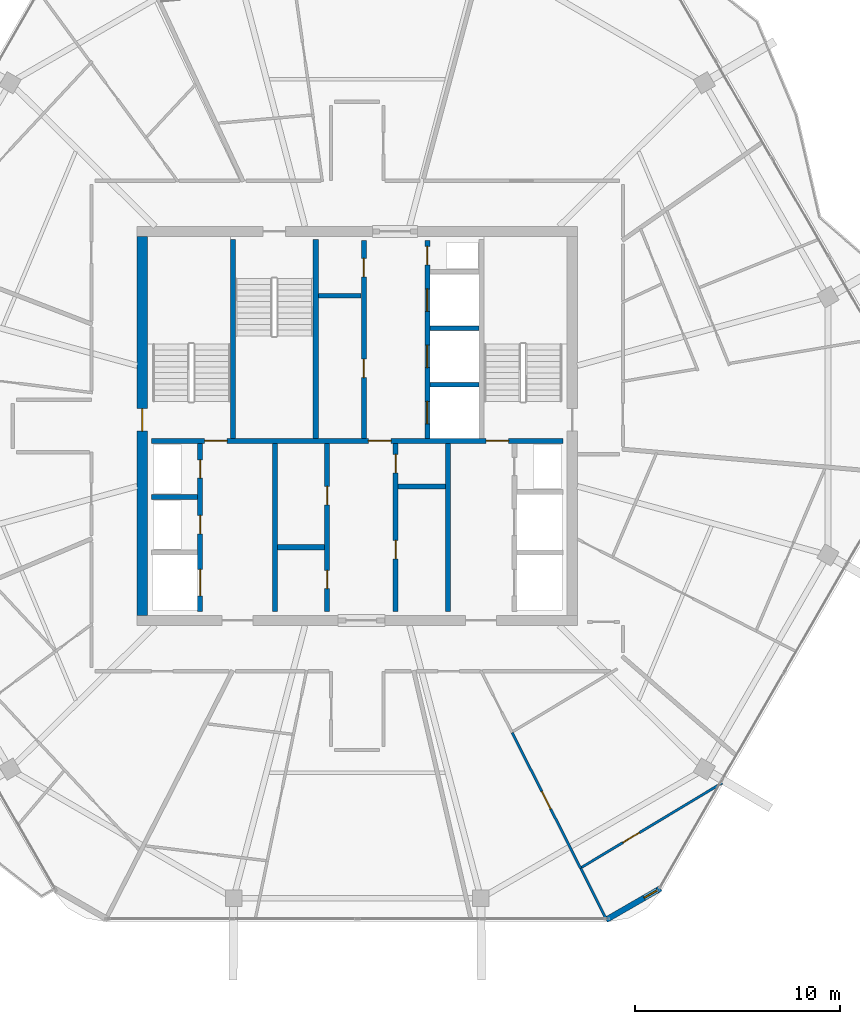
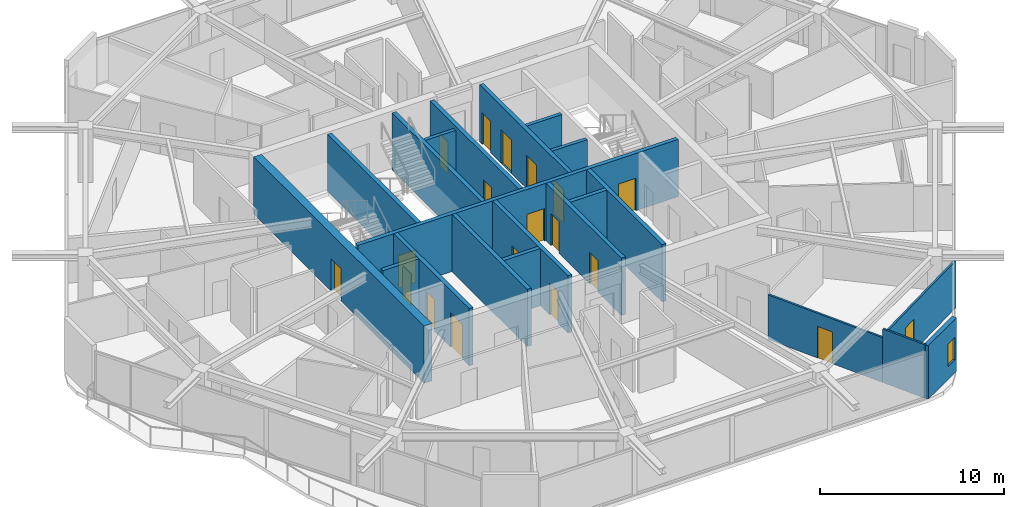
# One storey, part 15 of 21: 21 walls, 19 doors, 1 window, 20 openings.
"""IFC4 building model written with IfcOpenShell, lengths in metres."""

from ifc_helpers import new_model, si_unit, direction, frame, frame_2d, origin, place, context, subcontext, project, spatial, rectangle, extrude, material, layer, layer_set, type_object, element, fill, save


model = new_model("IFC4")

# Units and contexts
model_context = context("Model", 3, precision=1e-05, world=origin(), true_north=direction((0.0, 1.0)))
body_context = subcontext(model_context, "Body", "Model", "MODEL_VIEW")
ifc_project = project(units=[si_unit("LENGTHUNIT", "METRE"), si_unit("AREAUNIT", "SQUARE_METRE"), si_unit("VOLUMEUNIT", "CUBIC_METRE"), si_unit("PLANEANGLEUNIT", "RADIAN"), si_unit("MASSUNIT", "GRAM", prefix="KILO")], contexts=[model_context])

# Site, building, storey
site_placement = place(None, origin())
site = spatial("IfcSite", under=ifc_project, at=site_placement, CompositionType="ELEMENT")
building_placement = place(site_placement, origin())
building = spatial("IfcBuilding", under=site, at=building_placement, Name="Zuhravey Tower", CompositionType="ELEMENT")
storey_placement = place(building_placement, frame((0.0, 0.0, 319.60009765625)))
storey = spatial("IfcBuildingStorey", under=building, at=storey_placement, Name="L81", CompositionType="ELEMENT", Elevation=319.60009765625)

# Wall, opening, door
ifc_material_1 = material(Name="Concrete C50/60", Category="concrete")
ifc_layer_1 = layer(ifc_material_1, 0.5)
ifc_layer_set_1 = layer_set([ifc_layer_1], Name="Concrete C50/60")
wall_type_1 = type_object("IfcWallType", Name="Core Shear Wall 500", PredefinedType="SHEAR", material=ifc_layer_set_1)
wall_1_placement = place(storey_placement, frame((25.5, 22.75, 0.0), z_axis=(0.0, 0.0, 1.0), x_axis=(0.0, 1.0, 0.0)))
wall_1 = element("IfcWall", 1, at=wall_1_placement, inside=storey, type_object=wall_type_1, Name="L81 West Core Shear Wall CW50", PredefinedType="SHEAR", context=body_context, shape_type="SweptSolid", body=[
    extrude(rectangle(XDim=18.5, YDim=0.5, at=frame_2d((9.25, 0.0))), origin(), (0.0, 0.0, 1.0), 3.7998046875),
])
opening_1_placement = place(wall_1_placement, frame((9.0, 0.0, 0.0)))
opening_1 = element("IfcOpeningElement", 2, at=opening_1_placement, cuts=wall_1, Name="Opening STD1", PredefinedType="OPENING", context=body_context, shape_type="SweptSolid", body=[
    extrude(rectangle(XDim=1.10009765625, YDim=2.14990234375, at=frame_2d((0.550048828125, 1.074951171875))), frame((0.0, 0.261962890625, 0.0), z_axis=(0.0, -1.0, 0.0), x_axis=(1.0, 0.0, 0.0)), (0.0, 0.0, 1.0), 0.52392578125),
])
ifc_material_2 = material(Name="Galvanised fire-rated steel leaf", Category="steel")
door_type_1 = type_object("IfcDoorType", Name="Protected Stair Fire Door 1100x2150", OperationType="NOTDEFINED", PredefinedType="USERDEFINED", material=ifc_material_2)
door_1_placement = place(opening_1_placement, frame((1.10009765625, 0.0, 0.0), z_axis=(0.0, 0.0, 1.0), x_axis=(-1.0, 0.0, 0.0)))
door_1 = element("IfcDoor", 3, at=door_1_placement, inside=storey, type_object=door_type_1, Name="L81 Stair ST1 Door", ObjectType="EXITDOOR", OperationType="SINGLE_SWING_LEFT", OverallHeight=2.14990234375, OverallWidth=1.10009765625, PredefinedType="USERDEFINED", context=body_context, shape_type="SweptSolid", body=[
    extrude(rectangle(XDim=1.10009765625, YDim=2.14990234375, at=frame_2d((0.550048828125, 1.074951171875))), frame((0.0, 0.02490234375, 0.0), z_axis=(0.0, -1.0, 0.0), x_axis=(1.0, 0.0, 0.0)), (0.0, 0.0, 1.0), 0.050048828125),
])
fill(opening_1, door_1)

# Wall, opening, window
ifc_material_3 = material(Name="Precast concrete C40/50", Category="concrete")
ifc_layer_2 = layer(ifc_material_3, 0.280029296875)
ifc_layer_set_2 = layer_set([ifc_layer_2], Name="Precast concrete C40/50")
wall_type_2 = type_object("IfcWallType", Name="Crown Architectural Wall 280", PredefinedType="SOLIDWALL", material=ifc_layer_set_2)
wall_2_placement = place(storey_placement, frame((50.811279296875, 9.410888671875, 0.0), z_axis=(0.0, 0.0, 1.0), x_axis=(-0.866023752521, -0.50000286006, 0.0)))
wall_2 = element("IfcWall", 4, at=wall_2_placement, inside=storey, type_object=wall_type_2, Name="L81 Rounded Corner Closure Wall EW28-02", PredefinedType="SOLIDWALL", context=body_context, shape_type="SweptSolid", body=[
    extrude(rectangle(XDim=3.06494140625, YDim=0.280029296875, at=frame_2d((1.532470703125, 0.0))), origin(), (0.0, 0.0, 1.0), 3.5498046875),
])
opening_2_placement = place(wall_2_placement, frame((0.1728515625, 0.0, 0.85009765625)))
opening_2 = element("IfcOpeningElement", 5, at=opening_2_placement, cuts=wall_2, Name="Opening WN5", PredefinedType="OPENING", context=body_context, shape_type="SweptSolid", body=[
    extrude(rectangle(XDim=0.75, YDim=1.5, at=frame_2d((0.375, 0.75))), frame((0.0, 0.152099609375, 0.0), z_axis=(0.0, -1.0, 0.0), x_axis=(1.0, 0.0, 0.0)), (0.0, 0.0, 1.0), 0.303955078125),
])
ifc_material_4 = material(Name="Thermally broken aluminium and triple low-E glass", Category="aluminium")
window_type = type_object("IfcWindowType", Name="Residential Corner Casement Window 750x1500", PartitioningType="SINGLE_PANEL", PredefinedType="WINDOW", material=ifc_material_4)
window_placement = place(opening_2_placement, origin())
window = element("IfcWindow", 6, at=window_placement, inside=storey, type_object=window_type, Name="L81 Corner Casement Window WN5-02.1", OverallHeight=1.5, OverallWidth=0.75, PartitioningType="SINGLE_PANEL", PredefinedType="WINDOW", context=body_context, shape_type="SweptSolid", body=[
    extrude(rectangle(XDim=0.75, YDim=1.5, at=frame_2d((0.375, 0.75))), frame((0.0, 0.030029296875, 0.0), z_axis=(0.0, -1.0, 0.0), x_axis=(1.0, 0.0, 0.0)), (0.0, 0.0, 1.0), 0.06005859375),
])
fill(opening_2, window)

# Wall, openings, doors
ifc_layer_3 = layer(ifc_material_1, 0.25)
ifc_layer_set_3 = layer_set([ifc_layer_3], Name="Concrete C50/60")
wall_type_3 = type_object("IfcWallType", Name="Firefighting Shaft & Stair Wall 250", PredefinedType="SOLIDWALL", material=ifc_layer_set_3)
wall_3_placement = place(storey_placement, frame((25.949951171875, 31.27490234375, 0.0), z_axis=(0.0, 0.0, 1.0), x_axis=(1.0, 0.0, 0.0)))
wall_3 = element("IfcWall", 7, at=wall_3_placement, inside=storey, type_object=wall_type_3, Name="L81 FW25 Shaft Wall 003", PredefinedType="SOLIDWALL", context=body_context, shape_type="SweptSolid", body=[
    extrude(rectangle(XDim=20.10009765625, YDim=0.25, at=frame_2d((10.050048828125, 0.0))), origin(), (0.0, 0.0, 1.0), 3.7998046875),
])
opening_3_placement = place(wall_3_placement, frame((2.60009765625, 0.0, 0.0)))
opening_3 = element("IfcOpeningElement", 8, at=opening_3_placement, cuts=wall_3, Name="Opening STD1", PredefinedType="OPENING", context=body_context, shape_type="SweptSolid", body=[
    extrude(rectangle(XDim=1.10009765625, YDim=2.14990234375, at=frame_2d((0.550048828125, 1.074951171875))), frame((0.0, 0.136962890625, 0.0), z_axis=(0.0, -1.0, 0.0), x_axis=(1.0, 0.0, 0.0)), (0.0, 0.0, 1.0), 0.27392578125),
])
opening_4_placement = place(wall_3_placement, frame((10.60009765625, 0.0, 0.0)))
opening_4 = element("IfcOpeningElement", 9, at=opening_4_placement, cuts=wall_3, Name="Opening STD1", PredefinedType="OPENING", context=body_context, shape_type="SweptSolid", body=[
    extrude(rectangle(XDim=1.10009765625, YDim=2.14990234375, at=frame_2d((0.550048828125, 1.074951171875))), frame((0.0, 0.136962890625, 0.0), z_axis=(0.0, -1.0, 0.0), x_axis=(1.0, 0.0, 0.0)), (0.0, 0.0, 1.0), 0.27392578125),
])
opening_5_placement = place(wall_3_placement, frame((16.35009765625, 0.0, 0.0)))
opening_5 = element("IfcOpeningElement", 10, at=opening_5_placement, cuts=wall_3, Name="Opening STD1", PredefinedType="OPENING", context=body_context, shape_type="SweptSolid", body=[
    extrude(rectangle(XDim=1.10009765625, YDim=2.14990234375, at=frame_2d((0.550048828125, 1.074951171875))), frame((0.0, 0.136962890625, 0.0), z_axis=(0.0, -1.0, 0.0), x_axis=(1.0, 0.0, 0.0)), (0.0, 0.0, 1.0), 0.27392578125),
])
door_2_placement = place(opening_3_placement, origin())
door_2 = element("IfcDoor", 11, at=door_2_placement, inside=storey, type_object=door_type_1, Name="L81 FFL-W to ST1 Door", ObjectType="EXITDOOR", OperationType="SINGLE_SWING_RIGHT", OverallHeight=2.14990234375, OverallWidth=1.10009765625, PredefinedType="USERDEFINED", context=body_context, shape_type="SweptSolid", body=[
    extrude(rectangle(XDim=1.10009765625, YDim=2.14990234375, at=frame_2d((0.550048828125, 1.074951171875))), frame((0.0, 0.02490234375, 0.0), z_axis=(0.0, -1.0, 0.0), x_axis=(1.0, 0.0, 0.0)), (0.0, 0.0, 1.0), 0.050048828125),
])
fill(opening_3, door_2)
door_3_placement = place(opening_4_placement, origin())
door_3 = element("IfcDoor", 12, at=door_3_placement, inside=storey, type_object=door_type_1, Name="L81 Core Lobby Link Door", ObjectType="EXITDOOR", OperationType="SINGLE_SWING_LEFT", OverallHeight=2.14990234375, OverallWidth=1.10009765625, PredefinedType="USERDEFINED", context=body_context, shape_type="SweptSolid", body=[
    extrude(rectangle(XDim=1.10009765625, YDim=2.14990234375, at=frame_2d((0.550048828125, 1.074951171875))), frame((0.0, 0.02490234375, 0.0), z_axis=(0.0, -1.0, 0.0), x_axis=(1.0, 0.0, 0.0)), (0.0, 0.0, 1.0), 0.050048828125),
])
fill(opening_4, door_3)
door_4_placement = place(opening_5_placement, origin())
door_4 = element("IfcDoor", 13, at=door_4_placement, inside=storey, type_object=door_type_1, Name="L81 FFL-E to ST2 Door", ObjectType="EXITDOOR", OperationType="SINGLE_SWING_RIGHT", OverallHeight=2.14990234375, OverallWidth=1.10009765625, PredefinedType="USERDEFINED", context=body_context, shape_type="SweptSolid", body=[
    extrude(rectangle(XDim=1.10009765625, YDim=2.14990234375, at=frame_2d((0.550048828125, 1.074951171875))), frame((0.0, 0.02490234375, 0.0), z_axis=(0.0, -1.0, 0.0), x_axis=(1.0, 0.0, 0.0)), (0.0, 0.0, 1.0), 0.050048828125),
])
fill(opening_5, door_4)

# Walls
for number, where, z_axis, x_axis, name in (
    (14, (29.925048828125, 31.39990234375, 0.0), (0.0, 0.0, 1.0), (0.0, 1.0, 0.0), "L81 FW25 Shaft Wall 004"),
    (15, (33.97509765625, 31.39990234375, 0.0), (0.0, 0.0, 1.0), (0.0, 1.0, 0.0), "L81 FW25 Shaft Wall 005"),
):
    element("IfcWall", number, at=place(storey_placement, frame(where, z_axis=z_axis, x_axis=x_axis)), inside=storey, type_object=wall_type_3, Name=name, PredefinedType="SOLIDWALL", context=body_context, shape_type="SweptSolid", body=[
        extrude(rectangle(XDim=9.7001953125, YDim=0.25, at=frame_2d((4.85009765625, 0.0))), origin(), (0.0, 0.0, 1.0), 3.7998046875),
    ])

# Wall, openings, doors
wall_4_placement = place(storey_placement, frame((36.324951171875, 31.39990234375, 0.0), z_axis=(0.0, 0.0, 1.0), x_axis=(0.0, 1.0, 0.0)))
wall_4 = element("IfcWall", 16, at=wall_4_placement, inside=storey, type_object=wall_type_3, Name="L81 FW25 Shaft Wall 007", PredefinedType="SOLIDWALL", context=body_context, shape_type="SweptSolid", body=[
    extrude(rectangle(XDim=9.650146484375, YDim=0.25, at=frame_2d((4.8251953125, 0.0))), origin(), (0.0, 0.0, 1.0), 3.7998046875),
])
opening_6_placement = place(wall_4_placement, frame((2.965087890625, 0.0, 0.0)))
opening_6 = element("IfcOpeningElement", 17, at=opening_6_placement, cuts=wall_4, Name="Opening RSD1", PredefinedType="OPENING", context=body_context, shape_type="SweptSolid", body=[
    extrude(rectangle(XDim=0.89990234375, YDim=2.10009765625, at=frame_2d((0.449951171875, 1.050048828125))), frame((0.0, 0.136962890625, 0.0), z_axis=(0.0, -1.0, 0.0), x_axis=(1.0, 0.0, 0.0)), (0.0, 0.0, 1.0), 0.27392578125),
])
opening_7_placement = place(wall_4_placement, frame((7.885009765625, 0.0, 0.0)))
opening_7 = element("IfcOpeningElement", 18, at=opening_7_placement, cuts=wall_4, Name="Opening RSD1", PredefinedType="OPENING", context=body_context, shape_type="SweptSolid", body=[
    extrude(rectangle(XDim=0.89990234375, YDim=2.10009765625, at=frame_2d((0.449951171875, 1.050048828125))), frame((0.0, 0.136962890625, 0.0), z_axis=(0.0, -1.0, 0.0), x_axis=(1.0, 0.0, 0.0)), (0.0, 0.0, 1.0), 0.27392578125),
])
ifc_material_5 = material(Name="Galvanised fire-rated steel access leaf", Category="steel")
door_type_2 = type_object("IfcDoorType", Name="Riser & Shaft Access Fire Door 900x2100", OperationType="NOTDEFINED", PredefinedType="DOOR", material=ifc_material_5)
door_5_placement = place(opening_6_placement, origin())
door_5 = element("IfcDoor", 19, at=door_5_placement, inside=storey, type_object=door_type_2, Name="L81 Equipment and Refuse Store Door", OperationType="SINGLE_SWING_LEFT", OverallHeight=2.10009765625, OverallWidth=0.89990234375, PredefinedType="DOOR", context=body_context, shape_type="SweptSolid", body=[
    extrude(rectangle(XDim=0.89990234375, YDim=2.10009765625, at=frame_2d((0.449951171875, 1.050048828125))), frame((0.0, 0.02490234375, 0.0), z_axis=(0.0, -1.0, 0.0), x_axis=(1.0, 0.0, 0.0)), (0.0, 0.0, 1.0), 0.050048828125),
])
fill(opening_6, door_5)
door_6_placement = place(opening_7_placement, origin())
door_6 = element("IfcDoor", 20, at=door_6_placement, inside=storey, type_object=door_type_2, Name="L81 BMS Control Room Door", OperationType="SINGLE_SWING_RIGHT", OverallHeight=2.10009765625, OverallWidth=0.89990234375, PredefinedType="DOOR", context=body_context, shape_type="SweptSolid", body=[
    extrude(rectangle(XDim=0.89990234375, YDim=2.10009765625, at=frame_2d((0.449951171875, 1.050048828125))), frame((0.0, 0.02490234375, 0.0), z_axis=(0.0, -1.0, 0.0), x_axis=(1.0, 0.0, 0.0)), (0.0, 0.0, 1.0), 0.050048828125),
])
fill(opening_7, door_6)

wall_5_placement = place(storey_placement, frame((39.425048828125, 31.39990234375, 0.0), z_axis=(0.0, 0.0, 1.0), x_axis=(0.0, 1.0, 0.0)))
wall_5 = element("IfcWall", 21, at=wall_5_placement, inside=storey, type_object=wall_type_3, Name="L81 FW25 Shaft Wall 008", PredefinedType="SOLIDWALL", context=body_context, shape_type="SweptSolid", body=[
    extrude(rectangle(XDim=9.650146484375, YDim=0.25, at=frame_2d((4.8251953125, 0.0))), origin(), (0.0, 0.0, 1.0), 3.7998046875),
])
opening_8_placement = place(wall_5_placement, frame((0.699951171875, 0.0, 0.0)))
opening_8 = element("IfcOpeningElement", 22, at=opening_8_placement, cuts=wall_5, Name="Opening LD1", PredefinedType="OPENING", context=body_context, shape_type="SweptSolid", body=[
    extrude(rectangle(XDim=1.10009765625, YDim=2.199951171875, at=frame_2d((0.550048828125, 1.10009765625))), frame((0.0, 0.136962890625, 0.0), z_axis=(0.0, -1.0, 0.0), x_axis=(1.0, 0.0, 0.0)), (0.0, 0.0, 1.0), 0.27392578125),
])
opening_9_placement = place(wall_5_placement, frame((3.449951171875, 0.0, 0.0)))
opening_9 = element("IfcOpeningElement", 23, at=opening_9_placement, cuts=wall_5, Name="Opening LD1", PredefinedType="OPENING", context=body_context, shape_type="SweptSolid", body=[
    extrude(rectangle(XDim=1.10009765625, YDim=2.199951171875, at=frame_2d((0.550048828125, 1.10009765625))), frame((0.0, 0.136962890625, 0.0), z_axis=(0.0, -1.0, 0.0), x_axis=(1.0, 0.0, 0.0)), (0.0, 0.0, 1.0), 0.27392578125),
])
opening_10_placement = place(wall_5_placement, frame((6.199951171875, 0.0, 0.0)))
opening_10 = element("IfcOpeningElement", 24, at=opening_10_placement, cuts=wall_5, Name="Opening LD1", PredefinedType="OPENING", context=body_context, shape_type="SweptSolid", body=[
    extrude(rectangle(XDim=1.10009765625, YDim=2.199951171875, at=frame_2d((0.550048828125, 1.10009765625))), frame((0.0, 0.136962890625, 0.0), z_axis=(0.0, -1.0, 0.0), x_axis=(1.0, 0.0, 0.0)), (0.0, 0.0, 1.0), 0.27392578125),
])
opening_11_placement = place(wall_5_placement, frame((8.469970703125, 0.0, 0.0)))
opening_11 = element("IfcOpeningElement", 25, at=opening_11_placement, cuts=wall_5, Name="Opening RSD1", PredefinedType="OPENING", context=body_context, shape_type="SweptSolid", body=[
    extrude(rectangle(XDim=0.89990234375, YDim=2.10009765625, at=frame_2d((0.449951171875, 1.050048828125))), frame((0.0, 0.136962890625, 0.0), z_axis=(0.0, -1.0, 0.0), x_axis=(1.0, 0.0, 0.0)), (0.0, 0.0, 1.0), 0.27392578125),
])
ifc_material_6 = material(Name="Brushed stainless steel", Category="steel")
door_type_3 = type_object("IfcDoorType", Name="Lift Landing Sliding Door 1100x2200", OperationType="DOUBLE_DOOR_SLIDING", PredefinedType="DOOR", material=ifc_material_6)
door_7_placement = place(opening_8_placement, origin())
door_7 = element("IfcDoor", 26, at=door_7_placement, inside=storey, type_object=door_type_3, Name="L81 Lift PL7 Landing Door", OperationType="DOUBLE_DOOR_SLIDING", OverallHeight=2.199951171875, OverallWidth=1.10009765625, PredefinedType="DOOR", context=body_context, shape_type="SweptSolid", body=[
    extrude(rectangle(XDim=1.10009765625, YDim=2.199951171875, at=frame_2d((0.550048828125, 1.10009765625))), frame((0.0, 0.02490234375, 0.0), z_axis=(0.0, -1.0, 0.0), x_axis=(1.0, 0.0, 0.0)), (0.0, 0.0, 1.0), 0.050048828125),
])
fill(opening_8, door_7)
door_8_placement = place(opening_9_placement, origin())
door_8 = element("IfcDoor", 27, at=door_8_placement, inside=storey, type_object=door_type_3, Name="L81 Lift PL8 Landing Door", OperationType="DOUBLE_DOOR_SLIDING", OverallHeight=2.199951171875, OverallWidth=1.10009765625, PredefinedType="DOOR", context=body_context, shape_type="SweptSolid", body=[
    extrude(rectangle(XDim=1.10009765625, YDim=2.199951171875, at=frame_2d((0.550048828125, 1.10009765625))), frame((0.0, 0.02490234375, 0.0), z_axis=(0.0, -1.0, 0.0), x_axis=(1.0, 0.0, 0.0)), (0.0, 0.0, 1.0), 0.050048828125),
])
fill(opening_9, door_8)
door_9_placement = place(opening_10_placement, origin())
door_9 = element("IfcDoor", 28, at=door_9_placement, inside=storey, type_object=door_type_3, Name="L81 Lift PL9 Landing Door", OperationType="DOUBLE_DOOR_SLIDING", OverallHeight=2.199951171875, OverallWidth=1.10009765625, PredefinedType="DOOR", context=body_context, shape_type="SweptSolid", body=[
    extrude(rectangle(XDim=1.10009765625, YDim=2.199951171875, at=frame_2d((0.550048828125, 1.10009765625))), frame((0.0, 0.02490234375, 0.0), z_axis=(0.0, -1.0, 0.0), x_axis=(1.0, 0.0, 0.0)), (0.0, 0.0, 1.0), 0.050048828125),
])
fill(opening_10, door_9)
door_10_placement = place(opening_11_placement, origin())
door_10 = element("IfcDoor", 29, at=door_10_placement, inside=storey, type_object=door_type_2, Name="L81 North Riser Door", OperationType="SINGLE_SWING_LEFT", OverallHeight=2.10009765625, OverallWidth=0.89990234375, PredefinedType="DOOR", context=body_context, shape_type="SweptSolid", body=[
    extrude(rectangle(XDim=0.89990234375, YDim=2.10009765625, at=frame_2d((0.449951171875, 1.050048828125))), frame((0.0, 0.02490234375, 0.0), z_axis=(0.0, -1.0, 0.0), x_axis=(1.0, 0.0, 0.0)), (0.0, 0.0, 1.0), 0.050048828125),
])
fill(opening_11, door_10)

# Wall
wall_6_placement = place(storey_placement, frame((25.949951171875, 28.52490234375, 0.0), z_axis=(0.0, 0.0, 1.0), x_axis=(1.0, 0.0, 0.0)))
element("IfcWall", 30, at=wall_6_placement, inside=storey, type_object=wall_type_3, Name="L81 FW25 Shaft Wall 010", PredefinedType="SOLIDWALL", context=body_context, shape_type="SweptSolid", body=[
    extrude(rectangle(XDim=2.25, YDim=0.25, at=frame_2d((1.125, 0.0))), origin(), (0.0, 0.0, 1.0), 3.7998046875),
])

# Wall, openings, doors
wall_7_placement = place(storey_placement, frame((28.324951171875, 22.949951171875, 0.0), z_axis=(0.0, 0.0, 1.0), x_axis=(0.0, 1.0, 0.0)))
wall_7 = element("IfcWall", 31, at=wall_7_placement, inside=storey, type_object=wall_type_3, Name="L81 FW25 Shaft Wall 011", PredefinedType="SOLIDWALL", context=body_context, shape_type="SweptSolid", body=[
    extrude(rectangle(XDim=8.199951171875, YDim=0.25, at=frame_2d((4.10009765625, 0.0))), origin(), (0.0, 0.0, 1.0), 3.7998046875),
])
opening_12_placement = place(wall_7_placement, frame((0.75, 0.0, 0.0)))
opening_12 = element("IfcOpeningElement", 32, at=opening_12_placement, cuts=wall_7, Name="Opening LD2", PredefinedType="OPENING", context=body_context, shape_type="SweptSolid", body=[
    extrude(rectangle(XDim=1.300048828125, YDim=2.300048828125, at=frame_2d((0.64990234375, 1.14990234375))), frame((0.0, 0.136962890625, 0.0), z_axis=(0.0, -1.0, 0.0), x_axis=(1.0, 0.0, 0.0)), (0.0, 0.0, 1.0), 0.27392578125),
])
opening_13_placement = place(wall_7_placement, frame((3.780029296875, 0.0, 0.0)))
opening_13 = element("IfcOpeningElement", 33, at=opening_13_placement, cuts=wall_7, Name="Opening RSD1", PredefinedType="OPENING", context=body_context, shape_type="SweptSolid", body=[
    extrude(rectangle(XDim=0.89990234375, YDim=2.10009765625, at=frame_2d((0.449951171875, 1.050048828125))), frame((0.0, 0.136962890625, 0.0), z_axis=(0.0, -1.0, 0.0), x_axis=(1.0, 0.0, 0.0)), (0.0, 0.0, 1.0), 0.27392578125),
])
opening_14_placement = place(wall_7_placement, frame((6.5, 0.0, 0.0)))
opening_14 = element("IfcOpeningElement", 34, at=opening_14_placement, cuts=wall_7, Name="Opening RSD1", PredefinedType="OPENING", context=body_context, shape_type="SweptSolid", body=[
    extrude(rectangle(XDim=0.89990234375, YDim=2.10009765625, at=frame_2d((0.449951171875, 1.050048828125))), frame((0.0, 0.136962890625, 0.0), z_axis=(0.0, -1.0, 0.0), x_axis=(1.0, 0.0, 0.0)), (0.0, 0.0, 1.0), 0.27392578125),
])
door_type_4 = type_object("IfcDoorType", Name="Freight & Stretcher Lift Sliding Door 1300x2300", OperationType="DOUBLE_DOOR_SLIDING", PredefinedType="DOOR", material=ifc_material_6)
door_11_placement = place(opening_12_placement, frame((1.300048828125, 0.0, 0.0), z_axis=(0.0, 0.0, 1.0), x_axis=(-1.0, 0.0, 0.0)))
door_11 = element("IfcDoor", 35, at=door_11_placement, inside=storey, type_object=door_type_4, Name="L81 Lift FF1 Landing Door", OperationType="DOUBLE_DOOR_SLIDING", OverallHeight=2.300048828125, OverallWidth=1.300048828125, PredefinedType="DOOR", context=body_context, shape_type="SweptSolid", body=[
    extrude(rectangle(XDim=1.300048828125, YDim=2.300048828125, at=frame_2d((0.64990234375, 1.14990234375))), frame((0.0, 0.02490234375, 0.0), z_axis=(0.0, -1.0, 0.0), x_axis=(1.0, 0.0, 0.0)), (0.0, 0.0, 1.0), 0.050048828125),
])
fill(opening_12, door_11)
door_12_placement = place(opening_13_placement, frame((0.89990234375, 0.0, 0.0), z_axis=(0.0, 0.0, 1.0), x_axis=(-1.0, 0.0, 0.0)))
door_12 = element("IfcDoor", 36, at=door_12_placement, inside=storey, type_object=door_type_2, Name="L81 Electrical Riser Door", OperationType="SINGLE_SWING_RIGHT", OverallHeight=2.10009765625, OverallWidth=0.89990234375, PredefinedType="DOOR", context=body_context, shape_type="SweptSolid", body=[
    extrude(rectangle(XDim=0.89990234375, YDim=2.10009765625, at=frame_2d((0.449951171875, 1.050048828125))), frame((0.0, 0.02490234375, 0.0), z_axis=(0.0, -1.0, 0.0), x_axis=(1.0, 0.0, 0.0)), (0.0, 0.0, 1.0), 0.050048828125),
])
fill(opening_13, door_12)
door_13_placement = place(opening_14_placement, frame((0.89990234375, 0.0, 0.0), z_axis=(0.0, 0.0, 1.0), x_axis=(-1.0, 0.0, 0.0)))
door_13 = element("IfcDoor", 37, at=door_13_placement, inside=storey, type_object=door_type_2, Name="L81 Smoke Shaft Access Door", OperationType="SINGLE_SWING_LEFT", OverallHeight=2.10009765625, OverallWidth=0.89990234375, PredefinedType="DOOR", context=body_context, shape_type="SweptSolid", body=[
    extrude(rectangle(XDim=0.89990234375, YDim=2.10009765625, at=frame_2d((0.449951171875, 1.050048828125))), frame((0.0, 0.02490234375, 0.0), z_axis=(0.0, -1.0, 0.0), x_axis=(1.0, 0.0, 0.0)), (0.0, 0.0, 1.0), 0.050048828125),
])
fill(opening_14, door_13)

# Walls
wall_8_placement = place(storey_placement, frame((31.97509765625, 22.949951171875, 0.0), z_axis=(0.0, 0.0, 1.0), x_axis=(0.0, 1.0, 0.0)))
element("IfcWall", 38, at=wall_8_placement, inside=storey, type_object=wall_type_3, Name="L81 FW25 Shaft Wall 012", PredefinedType="SOLIDWALL", context=body_context, shape_type="SweptSolid", body=[
    extrude(rectangle(XDim=8.199951171875, YDim=0.25, at=frame_2d((4.10009765625, 0.0))), origin(), (0.0, 0.0, 1.0), 3.7998046875),
])
wall_9_placement = place(storey_placement, frame((32.10009765625, 26.074951171875, 0.0), z_axis=(0.0, 0.0, 1.0), x_axis=(1.0, 0.0, 0.0)))
element("IfcWall", 39, at=wall_9_placement, inside=storey, type_object=wall_type_3, Name="L81 FW25 Shaft Wall 013", PredefinedType="SOLIDWALL", context=body_context, shape_type="SweptSolid", body=[
    extrude(rectangle(XDim=2.2998046875, YDim=0.25, at=frame_2d((1.14990234375, 0.0))), origin(), (0.0, 0.0, 1.0), 3.7998046875),
])

# Wall, openings, doors
wall_10_placement = place(storey_placement, frame((34.52490234375, 22.949951171875, 0.0), z_axis=(0.0, 0.0, 1.0), x_axis=(0.0, 1.0, 0.0)))
wall_10 = element("IfcWall", 40, at=wall_10_placement, inside=storey, type_object=wall_type_3, Name="L81 FW25 Shaft Wall 014", PredefinedType="SOLIDWALL", context=body_context, shape_type="SweptSolid", body=[
    extrude(rectangle(XDim=8.199951171875, YDim=0.25, at=frame_2d((4.10009765625, 0.0))), origin(), (0.0, 0.0, 1.0), 3.7998046875),
])
opening_15_placement = place(wall_10_placement, frame((1.10009765625, 0.0, 0.0)))
opening_15 = element("IfcOpeningElement", 41, at=opening_15_placement, cuts=wall_10, Name="Opening RSD1", PredefinedType="OPENING", context=body_context, shape_type="SweptSolid", body=[
    extrude(rectangle(XDim=0.89990234375, YDim=2.10009765625, at=frame_2d((0.449951171875, 1.050048828125))), frame((0.0, 0.136962890625, 0.0), z_axis=(0.0, -1.0, 0.0), x_axis=(1.0, 0.0, 0.0)), (0.0, 0.0, 1.0), 0.27392578125),
])
opening_16_placement = place(wall_10_placement, frame((5.199951171875, 0.0, 0.0)))
opening_16 = element("IfcOpeningElement", 42, at=opening_16_placement, cuts=wall_10, Name="Opening RSD1", PredefinedType="OPENING", context=body_context, shape_type="SweptSolid", body=[
    extrude(rectangle(XDim=0.89990234375, YDim=2.10009765625, at=frame_2d((0.449951171875, 1.050048828125))), frame((0.0, 0.136962890625, 0.0), z_axis=(0.0, -1.0, 0.0), x_axis=(1.0, 0.0, 0.0)), (0.0, 0.0, 1.0), 0.27392578125),
])
door_14_placement = place(opening_15_placement, origin())
door_14 = element("IfcDoor", 43, at=door_14_placement, inside=storey, type_object=door_type_2, Name="L81 Metering Room Door", OperationType="SINGLE_SWING_RIGHT", OverallHeight=2.10009765625, OverallWidth=0.89990234375, PredefinedType="DOOR", context=body_context, shape_type="SweptSolid", body=[
    extrude(rectangle(XDim=0.89990234375, YDim=2.10009765625, at=frame_2d((0.449951171875, 1.050048828125))), frame((0.0, 0.02490234375, 0.0), z_axis=(0.0, -1.0, 0.0), x_axis=(1.0, 0.0, 0.0)), (0.0, 0.0, 1.0), 0.050048828125),
])
fill(opening_15, door_14)
door_15_placement = place(opening_16_placement, origin())
door_15 = element("IfcDoor", 44, at=door_15_placement, inside=storey, type_object=door_type_2, Name="L81 Housekeeping Supply Door", OperationType="SINGLE_SWING_LEFT", OverallHeight=2.10009765625, OverallWidth=0.89990234375, PredefinedType="DOOR", context=body_context, shape_type="SweptSolid", body=[
    extrude(rectangle(XDim=0.89990234375, YDim=2.10009765625, at=frame_2d((0.449951171875, 1.050048828125))), frame((0.0, 0.02490234375, 0.0), z_axis=(0.0, -1.0, 0.0), x_axis=(1.0, 0.0, 0.0)), (0.0, 0.0, 1.0), 0.050048828125),
])
fill(opening_16, door_15)

# Wall
wall_11_placement = place(storey_placement, frame((38.0, 29.050048828125, 0.0), z_axis=(0.0, 0.0, 1.0), x_axis=(1.0, 0.0, 0.0)))
element("IfcWall", 45, at=wall_11_placement, inside=storey, type_object=wall_type_3, Name="L81 FW25 Shaft Wall 015", PredefinedType="SOLIDWALL", context=body_context, shape_type="SweptSolid", body=[
    extrude(rectangle(XDim=2.300048828125, YDim=0.25, at=frame_2d((1.14990234375, 0.0))), origin(), (0.0, 0.0, 1.0), 3.7998046875),
])

# Wall, openings, doors
wall_12_placement = place(storey_placement, frame((37.875, 22.949951171875, 0.0), z_axis=(0.0, 0.0, 1.0), x_axis=(0.0, 1.0, 0.0)))
wall_12 = element("IfcWall", 46, at=wall_12_placement, inside=storey, type_object=wall_type_3, Name="L81 FW25 Shaft Wall 016", PredefinedType="SOLIDWALL", context=body_context, shape_type="SweptSolid", body=[
    extrude(rectangle(XDim=8.199951171875, YDim=0.25, at=frame_2d((4.10009765625, 0.0))), origin(), (0.0, 0.0, 1.0), 3.7998046875),
])
opening_17_placement = place(wall_12_placement, frame((2.5625, 0.0, 0.0)))
opening_17 = element("IfcOpeningElement", 47, at=opening_17_placement, cuts=wall_12, Name="Opening RSD1", PredefinedType="OPENING", context=body_context, shape_type="SweptSolid", body=[
    extrude(rectangle(XDim=0.89990234375, YDim=2.10009765625, at=frame_2d((0.449951171875, 1.050048828125))), frame((0.0, 0.136962890625, 0.0), z_axis=(0.0, -1.0, 0.0), x_axis=(1.0, 0.0, 0.0)), (0.0, 0.0, 1.0), 0.27392578125),
])
opening_18_placement = place(wall_12_placement, frame((6.762451171875, 0.0, 0.0)))
opening_18 = element("IfcOpeningElement", 48, at=opening_18_placement, cuts=wall_12, Name="Opening RSD1", PredefinedType="OPENING", context=body_context, shape_type="SweptSolid", body=[
    extrude(rectangle(XDim=0.89990234375, YDim=2.10009765625, at=frame_2d((0.449951171875, 1.050048828125))), frame((0.0, 0.136962890625, 0.0), z_axis=(0.0, -1.0, 0.0), x_axis=(1.0, 0.0, 0.0)), (0.0, 0.0, 1.0), 0.27392578125),
])
door_16_placement = place(opening_17_placement, frame((0.89990234375, 0.0, 0.0), z_axis=(0.0, 0.0, 1.0), x_axis=(-1.0, 0.0, 0.0)))
door_16 = element("IfcDoor", 49, at=door_16_placement, inside=storey, type_object=door_type_2, Name="L81 Trunk Store Door", OperationType="SINGLE_SWING_RIGHT", OverallHeight=2.10009765625, OverallWidth=0.89990234375, PredefinedType="DOOR", context=body_context, shape_type="SweptSolid", body=[
    extrude(rectangle(XDim=0.89990234375, YDim=2.10009765625, at=frame_2d((0.449951171875, 1.050048828125))), frame((0.0, 0.02490234375, 0.0), z_axis=(0.0, -1.0, 0.0), x_axis=(1.0, 0.0, 0.0)), (0.0, 0.0, 1.0), 0.050048828125),
])
fill(opening_17, door_16)
door_17_placement = place(opening_18_placement, frame((0.89990234375, 0.0, 0.0), z_axis=(0.0, 0.0, 1.0), x_axis=(-1.0, 0.0, 0.0)))
door_17 = element("IfcDoor", 50, at=door_17_placement, inside=storey, type_object=door_type_2, Name="L81 Fiber Room Door", OperationType="SINGLE_SWING_LEFT", OverallHeight=2.10009765625, OverallWidth=0.89990234375, PredefinedType="DOOR", context=body_context, shape_type="SweptSolid", body=[
    extrude(rectangle(XDim=0.89990234375, YDim=2.10009765625, at=frame_2d((0.449951171875, 1.050048828125))), frame((0.0, 0.02490234375, 0.0), z_axis=(0.0, -1.0, 0.0), x_axis=(1.0, 0.0, 0.0)), (0.0, 0.0, 1.0), 0.050048828125),
])
fill(opening_18, door_17)

# Walls
wall_13_placement = place(storey_placement, frame((40.425048828125, 22.949951171875, 0.0), z_axis=(0.0, 0.0, 1.0), x_axis=(0.0, 1.0, 0.0)))
element("IfcWall", 51, at=wall_13_placement, inside=storey, type_object=wall_type_3, Name="L81 FW25 Shaft Wall 017", PredefinedType="SOLIDWALL", context=body_context, shape_type="SweptSolid", body=[
    extrude(rectangle(XDim=8.199951171875, YDim=0.25, at=frame_2d((4.10009765625, 0.0))), origin(), (0.0, 0.0, 1.0), 3.7998046875),
])
ifc_material_7 = material(Name="Gypsum acoustic stud assembly")
ifc_layer_4 = layer(ifc_material_7, 0.219970703125)
ifc_layer_set_4 = layer_set([ifc_layer_4], Name="Gypsum acoustic stud assembly")
wall_type_4 = type_object("IfcWallType", Name="School Acoustic Compartment Wall 220", PredefinedType="PARTITIONING", material=ifc_layer_set_4)
wall_14_placement = place(storey_placement, frame((34.10791015625, 38.35009765625, 0.0), z_axis=(0.0, 0.0, 1.0), x_axis=(1.0, 0.0, 0.0)))
element("IfcWall", 52, at=wall_14_placement, inside=storey, type_object=wall_type_4, Name="L81 IW22 Partition 056", PredefinedType="PARTITIONING", context=body_context, shape_type="SweptSolid", body=[
    extrude(rectangle(XDim=2.083984375, YDim=0.219970703125, at=frame_2d((1.0419921875, 0.0))), origin(), (0.0, 0.0, 1.0), 3.5498046875),
])
for number, where, z_axis, x_axis, name in (
    (53, (39.55810546875, 34.02490234375, 0.0), (0.0, 0.0, 1.0), (1.0, 0.0, 0.0), "L81 IW22 Partition 057"),
    (54, (39.55810546875, 36.77490234375, 0.0), (0.0, 0.0, 1.0), (1.0, 0.0, 0.0), "L81 IW22 Partition 058"),
):
    element("IfcWall", number, at=place(storey_placement, frame(where, z_axis=z_axis, x_axis=x_axis)), inside=storey, type_object=wall_type_4, Name=name, PredefinedType="PARTITIONING", context=body_context, shape_type="SweptSolid", body=[
        extrude(rectangle(XDim=2.3837890625, YDim=0.219970703125, at=frame_2d((1.19189453125, 0.0))), origin(), (0.0, 0.0, 1.0), 3.5498046875),
    ])

# Wall, opening, door
ifc_material_8 = material(Name="Gypsum metal-stud partition")
ifc_layer_5 = layer(ifc_material_8, 0.1201171875)
ifc_layer_set_5 = layer_set([ifc_layer_5], Name="Gypsum metal-stud partition")
wall_type_5 = type_object("IfcWallType", Name="Unit Internal Partition 120", PredefinedType="PARTITIONING", material=ifc_layer_set_5)
wall_15_placement = place(storey_placement, frame((43.565185546875, 17.0234375, 0.0), z_axis=(0.0, 0.0, 1.0), x_axis=(0.450887042269, -0.892581018796, 0.0)))
wall_15 = element("IfcWall", 55, at=wall_15_placement, inside=storey, type_object=wall_type_5, Name="L81 IW12 Partition 041", PredefinedType="PARTITIONING", context=body_context, shape_type="SweptSolid", body=[
    extrude(rectangle(XDim=7.43603515625, YDim=0.1201171875, at=frame_2d((3.718017578125, 0.0))), origin(), (0.0, 0.0, 1.0), 2.969970703125),
])
opening_19_placement = place(wall_15_placement, frame((3.218017578125, 0.0, 0.0)))
opening_19 = element("IfcOpeningElement", 56, at=opening_19_placement, cuts=wall_15, Name="Opening IND1", PredefinedType="OPENING", context=body_context, shape_type="SweptSolid", body=[
    extrude(rectangle(XDim=0.949951171875, YDim=2.10009765625, at=frame_2d((0.47509765625, 1.050048828125))), frame((0.0, 0.072021484375, 0.0), z_axis=(0.0, -1.0, 0.0), x_axis=(1.0, 0.0, 0.0)), (0.0, 0.0, 1.0), 0.14404296875),
])
ifc_material_9 = material(Name="Painted engineered timber leaf", Category="wood")
door_type_5 = type_object("IfcDoorType", Name="Internal Room & Bedroom Door 950x2100", OperationType="NOTDEFINED", PredefinedType="DOOR", material=ifc_material_9)
door_18_placement = place(opening_19_placement, origin())
door_18 = element("IfcDoor", 57, at=door_18_placement, inside=storey, type_object=door_type_5, Name="Apartment L81-05 Home Office Door", OperationType="SINGLE_SWING_RIGHT", OverallHeight=2.10009765625, OverallWidth=0.949951171875, PredefinedType="DOOR", context=body_context, shape_type="SweptSolid", body=[
    extrude(rectangle(XDim=0.949951171875, YDim=2.10009765625, at=frame_2d((0.47509765625, 1.050048828125))), frame((0.0, 0.02490234375, 0.0), z_axis=(0.0, -1.0, 0.0), x_axis=(1.0, 0.0, 0.0)), (0.0, 0.0, 1.0), 0.050048828125),
])
fill(opening_19, door_18)

wall_16_placement = place(storey_placement, frame((46.965087890625, 10.443603515625, 0.0), z_axis=(0.0, 0.0, 1.0), x_axis=(0.857167053884, 0.515038485683, 0.0)))
wall_16 = element("IfcWall", 58, at=wall_16_placement, inside=storey, type_object=wall_type_5, Name="L81 IW12 Partition 042", PredefinedType="PARTITIONING", context=body_context, shape_type="SweptSolid", body=[
    extrude(rectangle(XDim=8.0029296875, YDim=0.1201171875, at=frame_2d((4.00146484375, 0.0))), origin(), (0.0, 0.0, 1.0), 3.121826171875),
])
opening_20_placement = place(wall_16_placement, frame((2.34228515625, 0.0, 0.0)))
opening_20 = element("IfcOpeningElement", 59, at=opening_20_placement, cuts=wall_16, Name="Opening IND1", PredefinedType="OPENING", context=body_context, shape_type="SweptSolid", body=[
    extrude(rectangle(XDim=0.949951171875, YDim=2.10009765625, at=frame_2d((0.47509765625, 1.050048828125))), frame((0.0, 0.072021484375, 0.0), z_axis=(0.0, -1.0, 0.0), x_axis=(1.0, 0.0, 0.0)), (0.0, 0.0, 1.0), 0.14404296875),
])
door_19_placement = place(opening_20_placement, frame((0.949951171875, 0.0, 0.0), z_axis=(0.0, 0.0, 1.0), x_axis=(-1.0, 0.0, 0.0)))
door_19 = element("IfcDoor", 60, at=door_19_placement, inside=storey, type_object=door_type_5, Name="Apartment L81-05 Bedroom 1 Door", OperationType="SINGLE_SWING_LEFT", OverallHeight=2.10009765625, OverallWidth=0.949951171875, PredefinedType="DOOR", context=body_context, shape_type="SweptSolid", body=[
    extrude(rectangle(XDim=0.949951171875, YDim=2.10009765625, at=frame_2d((0.47509765625, 1.050048828125))), frame((0.0, 0.02490234375, 0.0), z_axis=(0.0, -1.0, 0.0), x_axis=(1.0, 0.0, 0.0)), (0.0, 0.0, 1.0), 0.050048828125),
])
fill(opening_20, door_19)

# Wall
wall_17_placement = place(storey_placement, frame((46.917724609375, 10.38623046875, 0.0), z_axis=(0.0, 0.0, 1.0), x_axis=(0.450886917931, -0.892581081605, 0.0)))
element("IfcWall", 61, at=wall_17_placement, inside=storey, type_object=wall_type_5, Name="L81 IW12 Partition 077", PredefinedType="PARTITIONING", context=body_context, shape_type="SweptSolid", body=[
    extrude(rectangle(XDim=2.761962890625, YDim=0.1201171875, at=frame_2d((1.380859375, 0.0))), origin(), (0.0, 0.0, 1.0), 3.5498046875),
])

save(model, "model.ifc")
